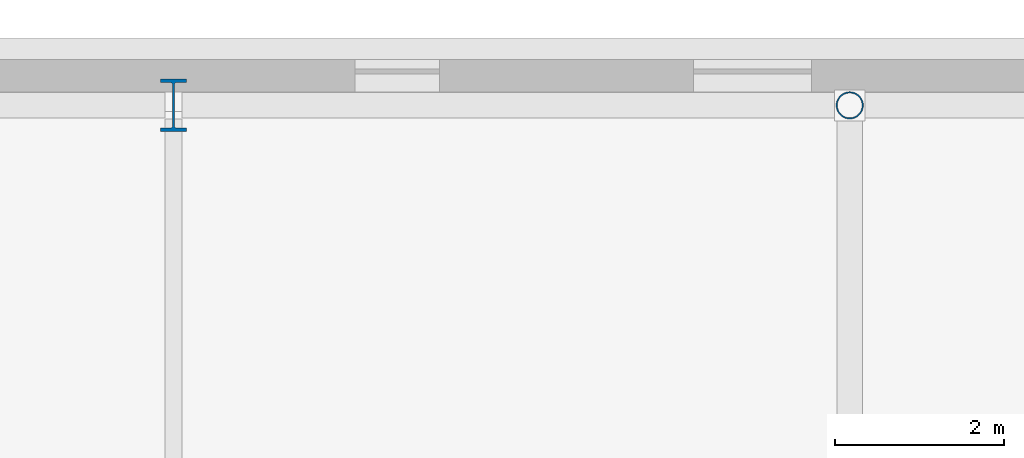
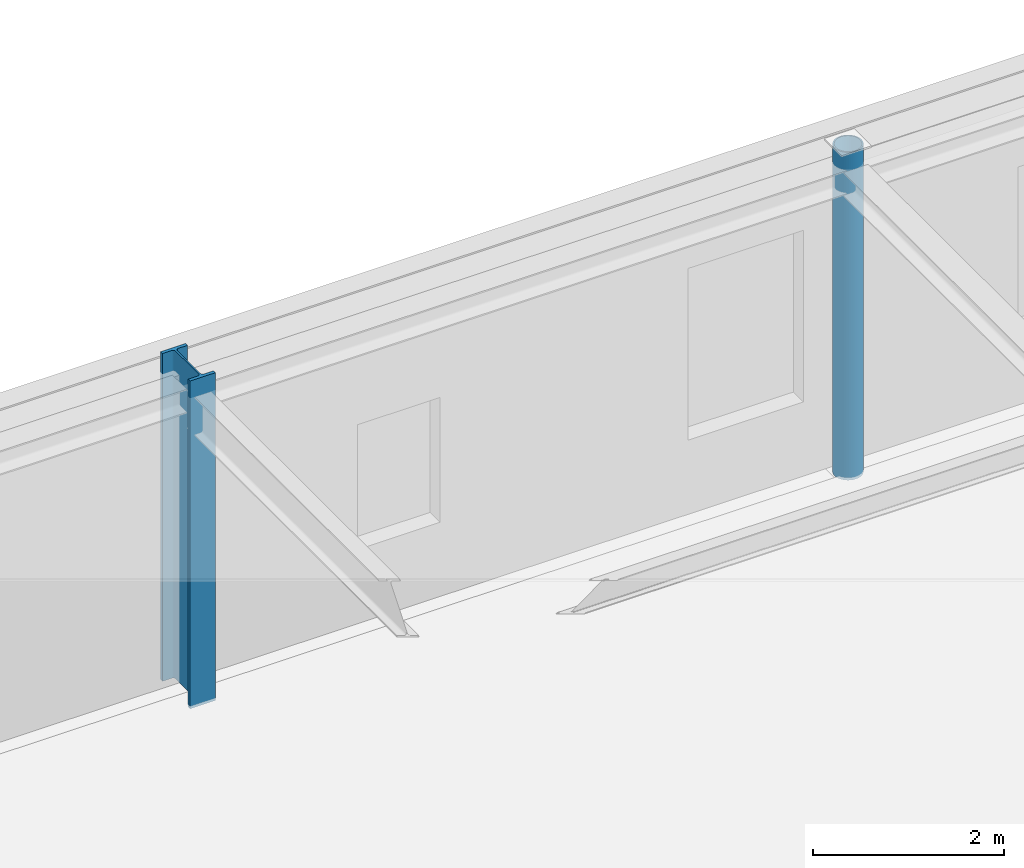
# One storey, part 11 of 148: 2 columns.
"""IFC4 building model written with IfcOpenShell, lengths in metres."""

import ifcopenshell
import ifcopenshell.guid

model = None  # the IFC model being written
_history = None  # IfcOwnerHistory: only IFC2X3 demands one
_inside = {}  # id of a spatial element -> (the spatial element, [elements in it])
_under = {}  # id of a project, library or spatial element -> (it, [spatial elements below it])
_declared = {}  # id of a project -> (the project, [libraries it declares])
_typed = {}  # id of a type object -> (the type object, [elements of that type])
_made_of = {}  # id of a material, layer set ... -> (it, [elements and type objects made of it])


def new_model(schema):
    """Start an empty IFC model of exactly this schema.

    Asked for "IFC4X3", IfcOpenShell would pick the latest addendum, in which some entities
    have other attributes; the version numbers below select the first issue.
    IFC2X3 requires an IfcOwnerHistory on every rooted entity: one is made here for all.
    """
    global model, _history
    if schema == "IFC4X3":
        model = ifcopenshell.file(schema_version=(4, 3, 0, 0))
    else:
        model = ifcopenshell.file(schema=schema)
    _inside.clear()
    _under.clear()
    _declared.clear()
    _typed.clear()
    _made_of.clear()
    _history = None
    if model.schema == "IFC2X3":
        org = make("IfcOrganization", Name="unknown")
        user = make(
            "IfcPersonAndOrganization",
            ThePerson=make("IfcPerson", FamilyName="unknown"),
            TheOrganization=org,
        )
        app = make(
            "IfcApplication",
            ApplicationDeveloper=org,
            Version="unknown",
            ApplicationFullName="unknown",
            ApplicationIdentifier="unknown",
        )
        _history = make(
            "IfcOwnerHistory",
            OwningUser=user,
            OwningApplication=app,
            ChangeAction="ADDED",
            CreationDate=0,
        )
    return model


def make(cls, **values):
    """One entity of the class cls with the attributes given. An attribute that is None is left unset."""
    return model.create_entity(
        cls, **{name: value for name, value in values.items() if value is not None}
    )


def rooted(cls, **values):
    """An entity with a GlobalId (a new one), such as an element, a storey or a relation."""
    return make(cls, GlobalId=ifcopenshell.guid.new(), OwnerHistory=_history, **values)


def si_unit(unit_type, name, prefix=None):
    """IfcSIUnit, for example si_unit("LENGTHUNIT", "METRE", prefix="MILLI")."""
    return make("IfcSIUnit", UnitType=unit_type, Prefix=prefix, Name=name)


def assignment(units):
    """IfcUnitAssignment: the units of a project."""
    return None if units is None else make("IfcUnitAssignment", Units=units)


def point(xyz):
    """IfcCartesianPoint."""
    return None if xyz is None else make("IfcCartesianPoint", Coordinates=xyz)


def direction(xyz):
    """IfcDirection."""
    return None if xyz is None else make("IfcDirection", DirectionRatios=xyz)


def frame(location, z_axis=None, x_axis=None):
    """IfcAxis2Placement3D, a coordinate frame: its origin and axes. An axis left out is left unset."""
    return make(
        "IfcAxis2Placement3D",
        Location=point(location),
        Axis=direction(z_axis),
        RefDirection=direction(x_axis),
    )


def frame_2d(location, x_axis=None):
    """IfcAxis2Placement2D, a coordinate frame in the plane: its origin and x axis."""
    return make(
        "IfcAxis2Placement2D", Location=point(location), RefDirection=direction(x_axis)
    )


def origin():
    """The frame at (0, 0, 0) with its axes left unset."""
    return frame((0.0, 0.0, 0.0))


def origin_2d():
    """The frame at (0, 0) in the plane with its x axis left unset."""
    return frame_2d((0.0, 0.0))


def place(relative_to, where):
    """IfcLocalPlacement: puts the frame where relative to a parent placement (None: the world)."""
    return make(
        "IfcLocalPlacement", PlacementRelTo=relative_to, RelativePlacement=where
    )


def context(
    kind, dimensions, precision=None, world=None, true_north=None, identifier=None
):
    """IfcGeometricRepresentationContext, for example the 3D "Model" context."""
    return make(
        "IfcGeometricRepresentationContext",
        ContextIdentifier=identifier,
        ContextType=kind,
        CoordinateSpaceDimension=dimensions,
        Precision=precision,
        WorldCoordinateSystem=world,
        TrueNorth=true_north,
    )


def subcontext(parent, identifier, kind, view, scale=None):
    """IfcGeometricRepresentationSubContext, for example "Body" below "Model"."""
    return make(
        "IfcGeometricRepresentationSubContext",
        ContextIdentifier=identifier,
        ContextType=kind,
        ParentContext=parent,
        TargetScale=scale,
        TargetView=view,
    )


def project(units=None, contexts=None):
    """IfcProject with its units and contexts."""
    return rooted(
        "IfcProject",
        Name="project",
        RepresentationContexts=contexts,
        UnitsInContext=assignment(units),
    )


def spatial(cls, under=None, at=None, **own):
    """A site, building, storey or space (cls), placed at a placement, below another one or the project."""
    s = rooted(cls, ObjectPlacement=at, **own)
    if under is not None:
        _under.setdefault(under.id(), (under, []))[1].append(s)
    return s


def profile(cls, at=None, kind="AREA", **sizes):
    """A parametric profile (cls). Its sizes go by their IFC names, for example OverallWidth=200.0."""
    return make(cls, ProfileType=kind, Position=at, **sizes)


def hollow_circle(**sizes):
    """IfcCircleHollowProfileDef."""
    return profile("IfcCircleHollowProfileDef", **sizes)


def i_section(**sizes):
    """IfcIShapeProfileDef."""
    return profile("IfcIShapeProfileDef", **sizes)


def extrude(swept, where, along, depth):
    """IfcExtrudedAreaSolid: the profile swept, set in the frame where, extruded along a direction by depth."""
    return make(
        "IfcExtrudedAreaSolid",
        SweptArea=swept,
        Position=where,
        ExtrudedDirection=direction(along),
        Depth=depth,
    )


def shape(context_of_items, identifier, shape_type, items):
    """IfcShapeRepresentation: the items that make up one representation, for example the "Body"."""
    return make(
        "IfcShapeRepresentation",
        ContextOfItems=context_of_items,
        RepresentationIdentifier=identifier,
        RepresentationType=shape_type,
        Items=items,
    )


def material(Name=None, Category=None):
    """IfcMaterial."""
    return make("IfcMaterial", Name=Name, Category=Category)


def material_profile(
    of_material, cross_section, Name=None, Category=None, Priority=None
):
    """IfcMaterialProfile: a cross section and its material."""
    return make(
        "IfcMaterialProfile",
        Name=Name,
        Material=of_material,
        Profile=cross_section,
        Priority=Priority,
        Category=Category,
    )


def profile_set(profiles, Name=None, composite=None):
    """IfcMaterialProfileSet."""
    return make(
        "IfcMaterialProfileSet",
        Name=Name,
        MaterialProfiles=profiles,
        CompositeProfile=composite,
    )


def made_of(thing, what):
    """Note that an element or type object is made of a material, layer set ...; save() writes the relation."""
    if what is not None:
        _made_of.setdefault(what.id(), (what, []))[1].append(thing)
    return thing


def type_object(cls, material=None, **own):
    """A type object (cls), such as IfcWallType, which elements share."""
    return made_of(rooted(cls, **own), material)


def element(
    cls,
    number,
    at=None,
    inside=None,
    cuts=None,
    type_object=None,
    material=None,
    context=None,
    identifier="Body",
    shape_type=None,
    held_by="IfcProductDefinitionShape",
    body=None,
    shapes=None,
    **own,
):
    """One element of the class cls, such as IfcWall. Its Tag is "e" and its number.

    at: its placement. inside: the storey or other place that contains it. cuts: it is an
    opening in that element (IfcRelVoidsElement). A single representation is given by context,
    identifier, shape_type and body (its items); several are given by shapes. held_by: the class
    of the entity that holds the representations. save() writes the other relations.
    """
    e = rooted(cls, Tag="e%d" % number, ObjectPlacement=at, **own)
    if body is not None:
        shapes = [shape(context, identifier, shape_type, body)]
    if shapes is not None:
        e.Representation = make(held_by, Representations=shapes)
    if inside is not None:
        _inside.setdefault(inside.id(), (inside, []))[1].append(e)
    if cuts is not None:
        rooted(
            "IfcRelVoidsElement", RelatingBuildingElement=cuts, RelatedOpeningElement=e
        )
    if type_object is not None:
        _typed.setdefault(type_object.id(), (type_object, []))[1].append(e)
    return made_of(e, material)


def aggregate(whole, parts):
    """IfcRelAggregates: a whole, such as a stair, and the parts it consists of."""
    return rooted("IfcRelAggregates", RelatingObject=whole, RelatedObjects=parts)


def save(model, path):
    """Write the relations noted so far, then the file.

    IfcRelAggregates (storeys below a building ...), IfcRelContainedInSpatialStructure (elements
    in a storey), IfcRelDefinesByType, IfcRelAssociatesMaterial and IfcRelDeclares: one each for
    every whole, place, type object, material and project.
    """
    for whole, parts in _under.values():
        aggregate(whole, parts)
    for where, things in _inside.values():
        rooted(
            "IfcRelContainedInSpatialStructure",
            RelatedElements=things,
            RelatingStructure=where,
        )
    for kind, things in _typed.values():
        rooted("IfcRelDefinesByType", RelatedObjects=things, RelatingType=kind)
    for what, things in _made_of.values():
        rooted("IfcRelAssociatesMaterial", RelatedObjects=things, RelatingMaterial=what)
    for by, libraries in _declared.values():
        rooted("IfcRelDeclares", RelatingContext=by, RelatedDefinitions=libraries)
    model.write(path)


model = new_model("IFC4")

# Units and contexts
model_context = context("Model", 3, precision=1e-05, world=origin(), true_north=direction((0.0, 1.0)))
body_context = subcontext(model_context, "Body", "Model", "MODEL_VIEW")
ifc_project = project(units=[si_unit("LENGTHUNIT", "METRE"), si_unit("AREAUNIT", "SQUARE_METRE"), si_unit("VOLUMEUNIT", "CUBIC_METRE"), si_unit("PLANEANGLEUNIT", "RADIAN"), si_unit("MASSUNIT", "GRAM", prefix="KILO"), si_unit("THERMODYNAMICTEMPERATUREUNIT", "KELVIN"), si_unit("POWERUNIT", "WATT")], contexts=[model_context])

# Site, building, storey
site_placement = place(None, origin())
site = spatial("IfcSite", under=ifc_project, at=site_placement, CompositionType="ELEMENT")
building_placement = place(site_placement, origin())
building = spatial("IfcBuilding", under=site, at=building_placement, Name="Solvatero Civic Police Headquarters", CompositionType="ELEMENT")
storey_placement = place(building_placement, frame((0.0, 0.0, 5.10009765625)))
storey = spatial("IfcBuildingStorey", under=building, at=storey_placement, Name="L01", CompositionType="ELEMENT", Elevation=5.10009765625)

# Columns
ifc_material = material(Name="Steel S355", Category="steel")
ifc_material_profile_1 = material_profile(ifc_material, hollow_circle(Radius=0.161865234375, WallThickness=0.01611328125, at=origin_2d()), Name="CHS 323.9x16.0")
ifc_profile_set_1 = profile_set([ifc_material_profile_1], Name="Steel S355")
column_type_1 = type_object("IfcColumnType", Name="COL-ST-CHS324", PredefinedType="COLUMN", material=ifc_profile_set_1)
column_1_placement = place(storey_placement, frame((64.0, 116.550048828125, 0.0), z_axis=(0.0, 0.0, 1.0), x_axis=(1.0, 0.0, 0.0)))
element("IfcColumn", 1, at=column_1_placement, inside=storey, type_object=column_type_1, Name="Column V7-X5Y3 L01", PredefinedType="COLUMN", context=body_context, shape_type="SweptSolid", body=[
    extrude(hollow_circle(Radius=0.161865234375, WallThickness=0.01611328125, at=origin_2d()), origin(), (0.0, 0.0, 1.0), 4.199951171875),
])
ifc_material_profile_2 = material_profile(ifc_material, i_section(OverallWidth=0.304931640625, OverallDepth=0.6201171875, WebThickness=0.02099609375, FlangeThickness=0.0400390625, FilletRadius=0.027099609375, at=origin_2d()), Name="HEM 600")
ifc_profile_set_2 = profile_set([ifc_material_profile_2], Name="Steel S355")
column_type_2 = type_object("IfcColumnType", Name="COL-ST-HEM600", PredefinedType="COLUMN", material=ifc_profile_set_2)
column_2_placement = place(storey_placement, frame((56.0, 116.550048828125, 0.0), z_axis=(0.0, 0.0, 1.0), x_axis=(1.0, 0.0, 0.0)))
element("IfcColumn", 2, at=column_2_placement, inside=storey, type_object=column_type_2, Name="Column V7-X4Y3 L01", PredefinedType="COLUMN", context=body_context, shape_type="SweptSolid", body=[
    extrude(i_section(OverallWidth=0.304931640625, OverallDepth=0.6201171875, WebThickness=0.02099609375, FlangeThickness=0.0400390625, FilletRadius=0.027099609375, at=origin_2d()), origin(), (0.0, 0.0, 1.0), 4.199951171875),
])

save(model, "model.ifc")
